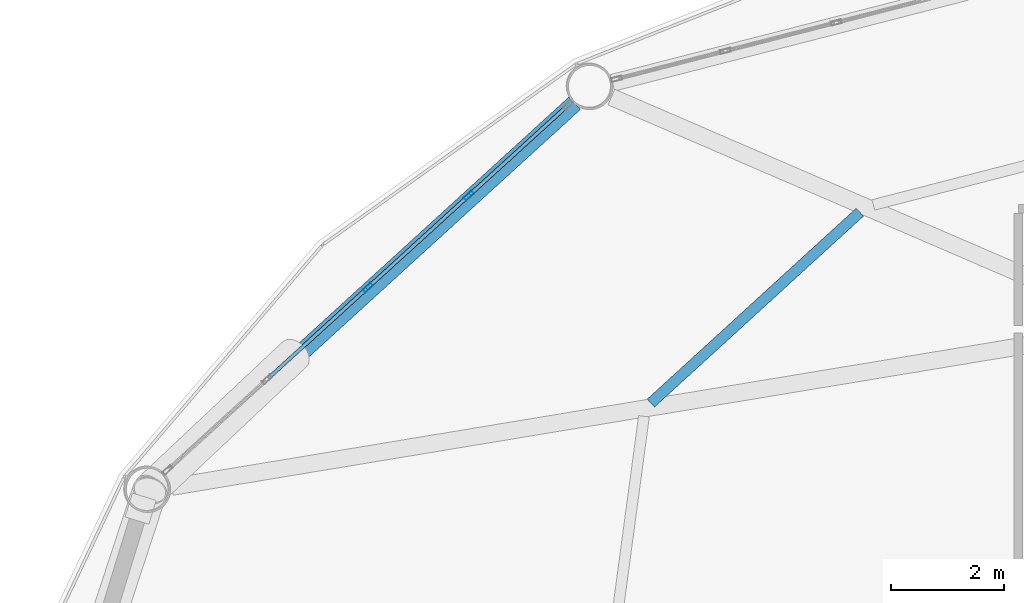
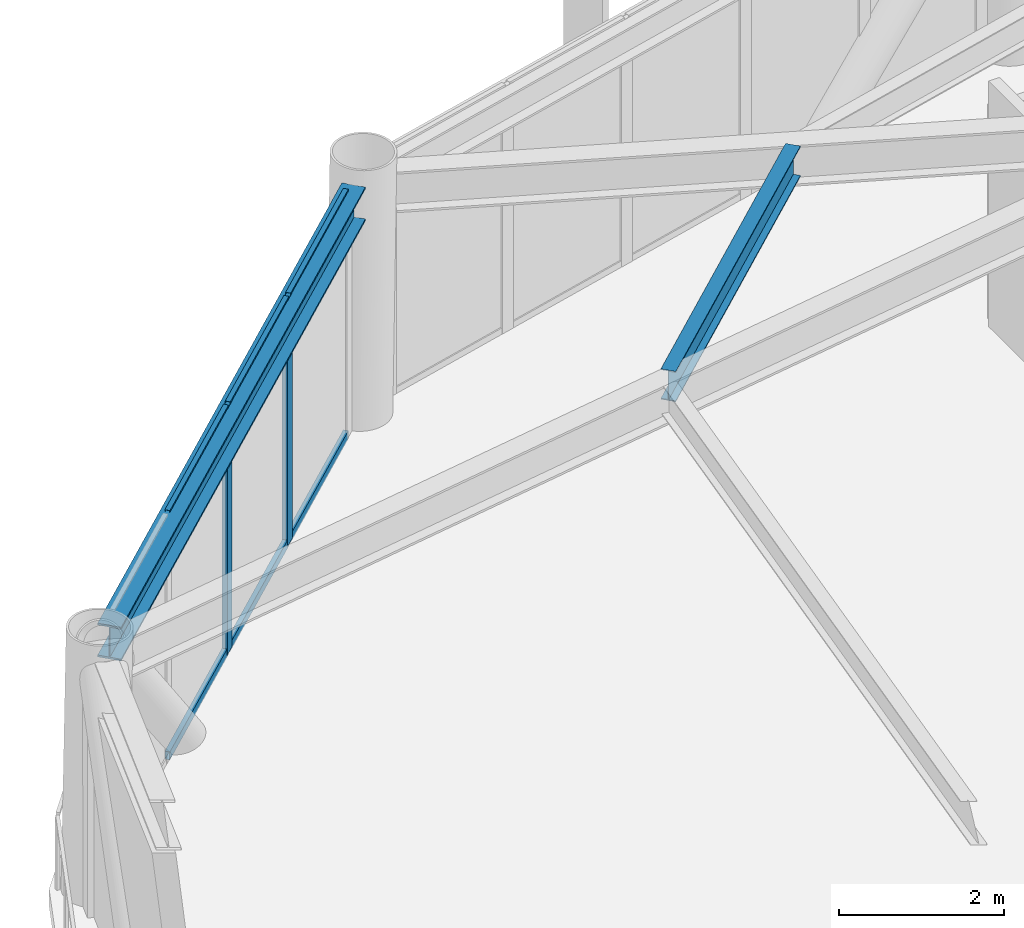
# One storey, part 14 of 23: 8 members, 2 beams, 1 element without a shape of its own.
"""IFC4 building model written with IfcOpenShell, lengths in metres."""

from ifc_helpers import new_model, si_unit, direction, frame, origin, origin_2d, place, context, subcontext, project, spatial, hollow_rectangle, i_section, extrude, material, layer, layer_set, material_profile, profile_set, type_object, element, aggregate, save


model = new_model("IFC4")

# Units and contexts
model_context = context("Model", 3, precision=1e-05, world=origin(), true_north=direction((0.0, 1.0)))
body_context = subcontext(model_context, "Body", "Model", "MODEL_VIEW")
ifc_project = project(units=[si_unit("LENGTHUNIT", "METRE"), si_unit("AREAUNIT", "SQUARE_METRE"), si_unit("VOLUMEUNIT", "CUBIC_METRE"), si_unit("PLANEANGLEUNIT", "RADIAN"), si_unit("MASSUNIT", "GRAM", prefix="KILO")], contexts=[model_context])

# Site, building, storey
site_placement = place(None, origin())
site = spatial("IfcSite", under=ifc_project, at=site_placement, CompositionType="ELEMENT")
building_placement = place(site_placement, origin())
building = spatial("IfcBuilding", under=site, at=building_placement, Name="Varnakorn Sky Granary", CompositionType="ELEMENT")
storey_placement = place(building_placement, frame((0.0, 0.0, 107.10009765625)))
storey = spatial("IfcBuildingStorey", under=building, at=storey_placement, Name="L26", CompositionType="ELEMENT", Elevation=107.10009765625)

# Beams
ifc_material_1 = material(Name="Steel S355JR", Category="steel")
ifc_material_profile_1 = material_profile(ifc_material_1, i_section(OverallWidth=0.18994140625, OverallDepth=0.449951171875, WebThickness=0.009521484375, FlangeThickness=0.0146484375, at=origin_2d()), Name="IPE 450")
ifc_profile_set_1 = profile_set([ifc_material_profile_1], Name="Steel S355JR")
beam_type_1 = type_object("IfcBeamType", Name="BM-SEC-Z2", PredefinedType="BEAM", material=ifc_profile_set_1)
beam_1_placement = place(storey_placement, frame((-7.4052734375, 14.63427734375, 3.414794921875), z_axis=(-0.738386202541, -0.674378095654, 0.0), x_axis=(0.674378095654, -0.738386202541, 0.0)))
element("IfcBeam", 1, at=beam_1_placement, inside=storey, type_object=beam_type_1, Name="Secondary Floor Chord Beam MSB05 L26", PredefinedType="BEAM", context=body_context, shape_type="SweptSolid", body=[
    extrude(i_section(OverallWidth=0.18994140625, OverallDepth=0.449951171875, WebThickness=0.009521484375, FlangeThickness=0.0146484375, at=origin_2d()), origin(), (0.0, 0.0, 1.0), 5.004150390625),
])
ifc_material_profile_2 = material_profile(ifc_material_1, i_section(OverallWidth=0.300048828125, OverallDepth=0.5, WebThickness=0.014404296875, FlangeThickness=0.028076171875, at=origin_2d()), Name="HE 500 B")
ifc_profile_set_2 = profile_set([ifc_material_profile_2], Name="Steel S355JR")
beam_type_2 = type_object("IfcBeamType", Name="BM-SPD-Z2", PredefinedType="SPANDREL", material=ifc_profile_set_2)
beam_2_placement = place(storey_placement, frame((-12.44677734375, 16.562255859375, 3.389892578125), z_axis=(-0.739048746657, -0.673651950242, 0.0), x_axis=(0.673651950242, -0.739048746657, 0.0)))
element("IfcBeam", 2, at=beam_2_placement, inside=storey, type_object=beam_type_2, Name="Perimeter Spandrel Ring Beam RB05 L26", PredefinedType="SPANDREL", context=body_context, shape_type="SweptSolid", body=[
    extrude(i_section(OverallWidth=0.300048828125, OverallDepth=0.5, WebThickness=0.014404296875, FlangeThickness=0.028076171875, at=origin_2d()), origin(), (0.0, 0.0, 1.0), 9.773681640625),
])

# Curtain wall, members
ifc_material_2 = material(Name="Anodised Bronze Aluminium Alloy 6063-T6", Category="aluminium")
ifc_layer = layer(ifc_material_2, 0.179931640625, Name="Anodised Bronze Aluminium Alloy 6063-T6")
ifc_layer_set = layer_set([ifc_layer], Name="Anodised Bronze Aluminium Alloy 6063-T6")
curtain_wall_type = type_object("IfcCurtainWallType", Name="CW-FRM-2", PredefinedType="USERDEFINED", material=ifc_layer_set)
curtain_wall_placement = place(storey_placement, origin())
curtain_wall = element("IfcCurtainWall", 3, at=curtain_wall_placement, inside=storey, type_object=curtain_wall_type, Name="Unitised Curtain Wall CW4 CW-L26-B05", ObjectType="CURTAIN WALL", PredefinedType="USERDEFINED")
ifc_material_profile_3 = material_profile(ifc_material_2, hollow_rectangle(XDim=0.070068359375, YDim=0.18505859375, WallThickness=0.00390625, at=origin_2d()), Name="ALU MULL 70x185")
ifc_profile_set_3 = profile_set([ifc_material_profile_3], Name="Anodised Bronze Aluminium Alloy 6063-T6")
member_type_1 = type_object("IfcMemberType", Name="CW-FRM-2-MULL", PredefinedType="MULLION", material=ifc_profile_set_3)
member_1_placement = place(storey_placement, frame((-16.104248046875, 13.302978515625, 0.0), z_axis=(0.0, 0.0, 1.0), x_axis=(-0.673414398116, 0.73926520844, 0.0)))
member_1 = element("IfcMember", 4, at=member_1_placement, type_object=member_type_1, Name="CW4 mullion 3", PredefinedType="MULLION", context=body_context, shape_type="SweptSolid", body=[
    extrude(hollow_rectangle(XDim=0.070068359375, YDim=0.18505859375, WallThickness=0.00390625, at=origin_2d()), origin(), (0.0, 0.0, 1.0), 3.639892578125),
])
member_2_placement = place(storey_placement, frame((-14.320068359375, 14.92822265625, 0.0), z_axis=(0.0, 0.0, 1.0), x_axis=(-0.673414398116, 0.73926520844, 0.0)))
member_2 = element("IfcMember", 5, at=member_2_placement, type_object=member_type_1, Name="CW4 mullion 4", PredefinedType="MULLION", context=body_context, shape_type="SweptSolid", body=[
    extrude(hollow_rectangle(XDim=0.070068359375, YDim=0.18505859375, WallThickness=0.00390625, at=origin_2d()), origin(), (0.0, 0.0, 1.0), 3.639892578125),
])
ifc_material_profile_4 = material_profile(ifc_material_2, hollow_rectangle(XDim=0.06494140625, YDim=0.1201171875, WallThickness=0.00341796875, at=origin_2d()), Name="ALU TRAN 65x120")
ifc_profile_set_4 = profile_set([ifc_material_profile_4], Name="Anodised Bronze Aluminium Alloy 6063-T6")
member_type_2 = type_object("IfcMemberType", Name="CW-FRM-2-TRAN", PredefinedType="USERDEFINED", material=ifc_profile_set_4)
member_3_placement = place(storey_placement, frame((-17.862548828125, 11.701416015625, 0.032470703125), z_axis=(0.739260877094, 0.673419152978, 0.0), x_axis=(-0.673419152978, 0.739260877094, 0.0)))
member_3 = element("IfcMember", 6, at=member_3_placement, type_object=member_type_2, Name="CW4 transom 2.1", ObjectType="TRANSOM", PredefinedType="USERDEFINED", context=body_context, shape_type="SweptSolid", body=[
    extrude(hollow_rectangle(XDim=0.06494140625, YDim=0.1201171875, WallThickness=0.00341796875, at=origin_2d()), origin(), (0.0, 0.0, 1.0), 2.343505859375),
])
member_4_placement = place(storey_placement, frame((-17.862548828125, 11.701416015625, 3.607421875), z_axis=(0.739260877094, 0.673419152978, 0.0), x_axis=(-0.673419152978, 0.739260877094, 0.0)))
member_4 = element("IfcMember", 7, at=member_4_placement, type_object=member_type_2, Name="CW4 transom 2.2", ObjectType="TRANSOM", PredefinedType="USERDEFINED", context=body_context, shape_type="SweptSolid", body=[
    extrude(hollow_rectangle(XDim=0.06494140625, YDim=0.1201171875, WallThickness=0.00341796875, at=origin_2d()), origin(), (0.0, 0.0, 1.0), 2.343505859375),
])
member_5_placement = place(storey_placement, frame((-16.078369140625, 13.32666015625, 0.032470703125), z_axis=(0.739260877094, 0.673419152978, 0.0), x_axis=(-0.673419152978, 0.739260877094, 0.0)))
member_5 = element("IfcMember", 8, at=member_5_placement, type_object=member_type_2, Name="CW4 transom 3.1", ObjectType="TRANSOM", PredefinedType="USERDEFINED", context=body_context, shape_type="SweptSolid", body=[
    extrude(hollow_rectangle(XDim=0.06494140625, YDim=0.1201171875, WallThickness=0.00341796875, at=origin_2d()), origin(), (0.0, 0.0, 1.0), 2.343505859375),
])
member_6_placement = place(storey_placement, frame((-16.078369140625, 13.32666015625, 3.607421875), z_axis=(0.739260877094, 0.673419152978, 0.0), x_axis=(-0.673419152978, 0.739260877094, 0.0)))
member_6 = element("IfcMember", 9, at=member_6_placement, type_object=member_type_2, Name="CW4 transom 3.2", ObjectType="TRANSOM", PredefinedType="USERDEFINED", context=body_context, shape_type="SweptSolid", body=[
    extrude(hollow_rectangle(XDim=0.06494140625, YDim=0.1201171875, WallThickness=0.00341796875, at=origin_2d()), origin(), (0.0, 0.0, 1.0), 2.343505859375),
])
member_7_placement = place(storey_placement, frame((-14.294189453125, 14.951904296875, 0.032470703125), z_axis=(0.739284086407, 0.673393673556, 0.0), x_axis=(-0.673393673556, 0.739284086407, 0.0)))
member_7 = element("IfcMember", 10, at=member_7_placement, type_object=member_type_2, Name="CW4 transom 4.1", ObjectType="TRANSOM", PredefinedType="USERDEFINED", context=body_context, shape_type="SweptSolid", body=[
    extrude(hollow_rectangle(XDim=0.06494140625, YDim=0.1201171875, WallThickness=0.00341796875, at=origin_2d()), origin(), (0.0, 0.0, 1.0), 2.308349609375),
])
member_8_placement = place(storey_placement, frame((-14.294189453125, 14.951904296875, 3.607421875), z_axis=(0.739284086407, 0.673393673556, 0.0), x_axis=(-0.673393673556, 0.739284086407, 0.0)))
member_8 = element("IfcMember", 11, at=member_8_placement, type_object=member_type_2, Name="CW4 transom 4.2", ObjectType="TRANSOM", PredefinedType="USERDEFINED", context=body_context, shape_type="SweptSolid", body=[
    extrude(hollow_rectangle(XDim=0.06494140625, YDim=0.1201171875, WallThickness=0.00341796875, at=origin_2d()), origin(), (0.0, 0.0, 1.0), 2.308349609375),
])
aggregate(curtain_wall, [member_1, member_2, member_3, member_4, member_5, member_6, member_7, member_8])

save(model, "model.ifc")
